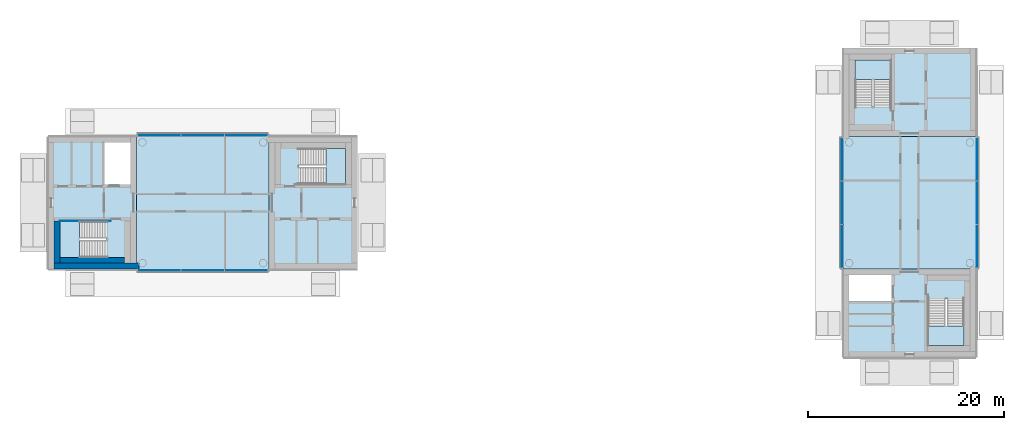
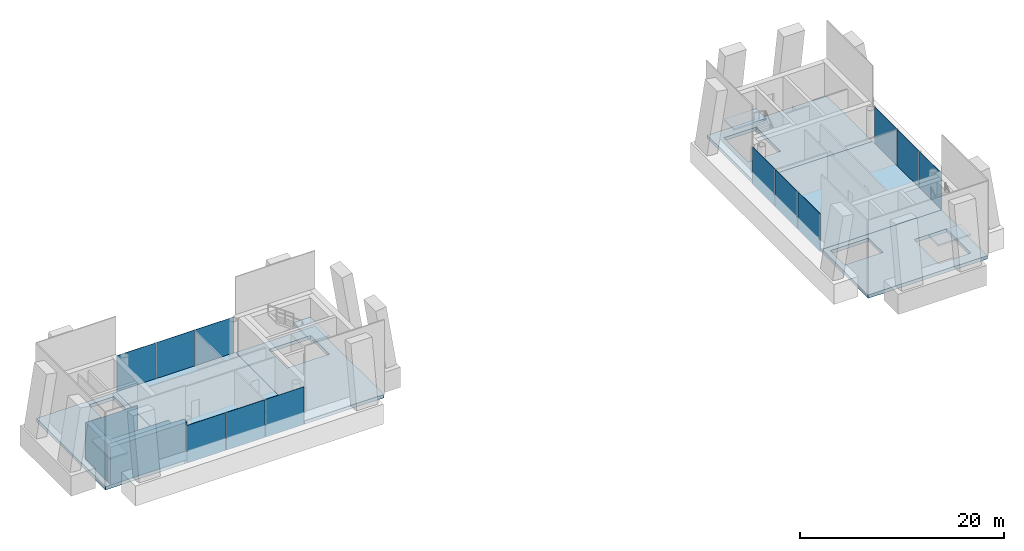
# One storey, part 4 of 12: 12 plates, 10 slabs, 4 walls, 8 elements without a shape of their own.
"""IFC4 building model written with IfcOpenShell, lengths in metres."""

from ifc_helpers import new_model, si_unit, direction, frame, frame_2d, origin, origin_2d, place, context, subcontext, project, spatial, polyline, rectangle, outline, extrude, material, layer, layer_set, type_object, element, aggregate, save


model = new_model("IFC4")

# Units and contexts
model_context = context("Model", 3, precision=1e-05, world=origin(), true_north=direction((0.0, 1.0)))
body_context = subcontext(model_context, "Body", "Model", "MODEL_VIEW")
ifc_project = project(units=[si_unit("LENGTHUNIT", "METRE"), si_unit("AREAUNIT", "SQUARE_METRE"), si_unit("VOLUMEUNIT", "CUBIC_METRE"), si_unit("PLANEANGLEUNIT", "RADIAN"), si_unit("MASSUNIT", "GRAM", prefix="KILO")], contexts=[model_context])

# Site, building, storey
site_placement = place(None, origin())
site = spatial("IfcSite", under=ifc_project, at=site_placement, CompositionType="ELEMENT")
building_placement = place(site_placement, origin())
building = spatial("IfcBuilding", under=site, at=building_placement, Name="Ipe Terrace Towers", CompositionType="ELEMENT")
storey_placement = place(building_placement, frame((0.0, 0.0, 255.89990234375)))
storey = spatial("IfcBuildingStorey", under=building, at=storey_placement, Name="L70", CompositionType="ELEMENT", Elevation=255.89990234375)

# Slabs
ifc_material_1 = material(Name="Concrete C30/37", Category="concrete")
ifc_layer_1 = layer(ifc_material_1, 0.39990234375)
ifc_layer_set_1 = layer_set([ifc_layer_1], Name="CORE FLOOR SLAB 400 C30-37")
slab_type_1 = type_object("IfcSlabType", Name="CORE FLOOR SLAB 400 C30-37", PredefinedType="FLOOR", material=ifc_layer_set_1)
slab_1_placement = place(storey_placement, frame((0.0, 0.0, -0.39990234375)))
element("IfcSlab", 1, at=slab_1_placement, inside=storey, type_object=slab_type_1, Name="Core floor T1-C1", PredefinedType="FLOOR", context=body_context, shape_type="SweptSolid", body=[
    extrude(outline(polyline([(-29.25, -6.75), (-29.25, 6.75), (-20.25, 6.75), (-20.25, -6.75), (-29.25, -6.75)]), holes=[polyline([(-21.449951171875, 1.89990234375), (-21.449951171875, 5.550048828125), (-26.199951171875, 5.550048828125), (-26.199951171875, 1.89990234375), (-21.449951171875, 1.89990234375)])]), origin(), (0.0, 0.0, 1.0), 0.39990234375),
])
slab_2_placement = place(storey_placement, frame((0.0, 0.0, -0.39990234375)))
element("IfcSlab", 2, at=slab_2_placement, inside=storey, type_object=slab_type_1, Name="Core floor T1-C2", PredefinedType="FLOOR", context=body_context, shape_type="SweptSolid", body=[
    extrude(outline(polyline([(-51.75, -6.75), (-51.75, 6.75), (-42.75, 6.75), (-42.75, -6.75), (-51.75, -6.75)]), holes=[polyline([(-45.800048828125, -1.89990234375), (-50.550048828125, -1.89990234375), (-50.550048828125, -5.550048828125), (-45.800048828125, -5.550048828125), (-45.800048828125, -1.89990234375)]), polyline([(-43.35009765625, 6.14990234375), (-46.14990234375, 6.14990234375), (-46.14990234375, 1.85009765625), (-43.35009765625, 1.85009765625), (-43.35009765625, 6.14990234375)])]), origin(), (0.0, 0.0, 1.0), 0.39990234375),
])
slab_3_placement = place(storey_placement, frame((0.0, 0.0, -0.39990234375)))
element("IfcSlab", 3, at=slab_3_placement, inside=storey, type_object=slab_type_1, Name="Core floor T2-C1", PredefinedType="FLOOR", context=body_context, shape_type="SweptSolid", body=[
    extrude(outline(polyline([(29.25, 6.75), (29.25, 15.75), (42.75, 15.75), (42.75, 6.75), (29.25, 6.75)]), holes=[polyline([(34.10009765625, 14.550048828125), (30.449951171875, 14.550048828125), (30.449951171875, 9.800048828125), (34.10009765625, 9.800048828125), (34.10009765625, 14.550048828125)])]), origin(), (0.0, 0.0, 1.0), 0.39990234375),
])
slab_4_placement = place(storey_placement, frame((0.0, 0.0, -0.39990234375)))
element("IfcSlab", 4, at=slab_4_placement, inside=storey, type_object=slab_type_1, Name="Core floor T2-C2", PredefinedType="FLOOR", context=body_context, shape_type="SweptSolid", body=[
    extrude(outline(polyline([(29.25, -15.75), (29.25, -6.75), (42.75, -6.75), (42.75, -15.75), (29.25, -15.75)]), holes=[polyline([(37.89990234375, -9.800048828125), (37.89990234375, -14.550048828125), (41.550048828125, -14.550048828125), (41.550048828125, -9.800048828125), (37.89990234375, -9.800048828125)]), polyline([(29.85009765625, -7.35009765625), (29.85009765625, -10.14990234375), (34.14990234375, -10.14990234375), (34.14990234375, -7.35009765625), (29.85009765625, -7.35009765625)])]), origin(), (0.0, 0.0, 1.0), 0.39990234375),
])

# Stair, slab
ifc_material_2 = material(Name="Concrete C30/37", Category="concrete")
stair_type = type_object("IfcStairType", Name="Protected exit stair", PredefinedType="HALF_TURN_STAIR", material=ifc_material_2)
stair_1_placement = place(storey_placement, origin())
stair_1 = element("IfcStair", 5, at=stair_1_placement, inside=storey, type_object=stair_type, Name="L70 Exit stair T1-C1", PredefinedType="HALF_TURN_STAIR")
ifc_material_3 = material(Name="Concrete C30/37", Category="concrete")
ifc_layer_2 = layer(ifc_material_3, 0.199951171875)
ifc_layer_set_2 = layer_set([ifc_layer_2], Name="Exit stair landing 200")
slab_type_2 = type_object("IfcSlabType", Name="Exit stair landing 200", PredefinedType="LANDING", material=ifc_layer_set_2)
slab_5_placement = place(storey_placement, frame((0.0, 0.0, 2.050048828125)))
slab_5 = element("IfcSlab", 6, at=slab_5_placement, type_object=slab_type_2, Name="T1-ST1 landing 1", PredefinedType="LANDING", context=body_context, shape_type="SweptSolid", body=[
    extrude(outline(polyline([(-23.43994140625, 1.89990234375), (-21.449951171875, 1.89990234375), (-21.449951171875, 5.550048828125), (-23.43994140625, 5.550048828125), (-23.43994140625, 1.89990234375)])), origin(), (0.0, 0.0, 1.0), 0.199951171875),
])
aggregate(stair_1, [slab_5])

stair_2_placement = place(storey_placement, origin())
stair_2 = element("IfcStair", 7, at=stair_2_placement, inside=storey, type_object=stair_type, Name="L70 Exit stair T1-C2", PredefinedType="HALF_TURN_STAIR")
slab_6_placement = place(storey_placement, frame((0.0, 0.0, 2.050048828125)))
slab_6 = element("IfcSlab", 8, at=slab_6_placement, type_object=slab_type_2, Name="T1-ST2 landing 1", PredefinedType="LANDING", context=body_context, shape_type="SweptSolid", body=[
    extrude(outline(polyline([(-48.56005859375, -1.89990234375), (-50.550048828125, -1.89990234375), (-50.550048828125, -5.550048828125), (-48.56005859375, -5.550048828125), (-48.56005859375, -1.89990234375)])), origin(), (0.0, 0.0, 1.0), 0.199951171875),
])
aggregate(stair_2, [slab_6])

stair_3_placement = place(storey_placement, origin())
stair_3 = element("IfcStair", 9, at=stair_3_placement, inside=storey, type_object=stair_type, Name="L70 Exit stair T2-C1", PredefinedType="HALF_TURN_STAIR")
slab_7_placement = place(storey_placement, frame((0.0, 0.0, 2.050048828125)))
slab_7 = element("IfcSlab", 10, at=slab_7_placement, type_object=slab_type_2, Name="T2-ST1 landing 1", PredefinedType="LANDING", context=body_context, shape_type="SweptSolid", body=[
    extrude(outline(polyline([(34.10009765625, 12.56005859375), (34.10009765625, 14.550048828125), (30.449951171875, 14.550048828125), (30.449951171875, 12.56005859375), (34.10009765625, 12.56005859375)])), origin(), (0.0, 0.0, 1.0), 0.199951171875),
])
aggregate(stair_3, [slab_7])

stair_4_placement = place(storey_placement, origin())
stair_4 = element("IfcStair", 11, at=stair_4_placement, inside=storey, type_object=stair_type, Name="L70 Exit stair T2-C2", PredefinedType="HALF_TURN_STAIR")
slab_8_placement = place(storey_placement, frame((0.0, 0.0, 2.050048828125)))
slab_8 = element("IfcSlab", 12, at=slab_8_placement, type_object=slab_type_2, Name="T2-ST2 landing 1", PredefinedType="LANDING", context=body_context, shape_type="SweptSolid", body=[
    extrude(outline(polyline([(37.89990234375, -12.56005859375), (37.89990234375, -14.550048828125), (41.550048828125, -14.550048828125), (41.550048828125, -12.56005859375), (37.89990234375, -12.56005859375)])), origin(), (0.0, 0.0, 1.0), 0.199951171875),
])
aggregate(stair_4, [slab_8])

# Slabs
ifc_material_4 = material(Name="Concrete C40/50", Category="concrete")
ifc_layer_3 = layer(ifc_material_4, 0.39990234375)
ifc_layer_set_3 = layer_set([ifc_layer_3], Name="FLAT PLATE SLAB 400 C40-50")
slab_type_3 = type_object("IfcSlabType", Name="FLAT PLATE SLAB 400 C40-50", PredefinedType="FLOOR", material=ifc_layer_set_3)
slab_9_placement = place(storey_placement, frame((0.0, 0.0, -0.39990234375)))
element("IfcSlab", 13, at=slab_9_placement, inside=storey, type_object=slab_type_3, Name="Slab T1-FS-Z41", PredefinedType="FLOOR", context=body_context, shape_type="SweptSolid", body=[
    extrude(outline(polyline([(-29.25, 6.75), (-29.25, -6.75), (-42.75, -6.75), (-42.75, 6.75), (-29.25, 6.75)])), origin(), (0.0, 0.0, 1.0), 0.39990234375),
])
slab_10_placement = place(storey_placement, frame((0.0, 0.0, -0.39990234375)))
element("IfcSlab", 14, at=slab_10_placement, inside=storey, type_object=slab_type_3, Name="Slab T2-FS-Z41", PredefinedType="FLOOR", context=body_context, shape_type="SweptSolid", body=[
    extrude(outline(polyline([(29.25, 6.75), (42.75, 6.75), (42.75, -6.75), (29.25, -6.75), (29.25, 6.75)])), origin(), (0.0, 0.0, 1.0), 0.39990234375),
])

# Curtain wall, plates
ifc_material_5 = material(Name="Aluminium alloy 6063-T6", Category="aluminium")
ifc_layer_4 = layer(ifc_material_5, 0.320068359375)
ifc_layer_set_4 = layer_set([ifc_layer_4], Name="LANTERN CURTAIN WALL")
curtain_wall_type = type_object("IfcCurtainWallType", Name="LANTERN CURTAIN WALL", PredefinedType="NOTDEFINED", material=ifc_layer_set_4)
curtain_wall_1_placement = place(storey_placement, origin())
curtain_wall_1 = element("IfcCurtainWall", 15, at=curtain_wall_1_placement, inside=storey, type_object=curtain_wall_type, Name="T1-CW-L70-00b curtain wall", PredefinedType="NOTDEFINED")
ifc_material_6 = material(Name="Glass, clear laminated", Category="glass")
ifc_layer_5 = layer(ifc_material_6, 0.0400390625)
ifc_layer_set_5 = layer_set([ifc_layer_5], Name="LANTERN GLASS PANEL 40")
plate_type = type_object("IfcPlateType", Name="LANTERN GLASS PANEL 40", PredefinedType="CURTAIN_PANEL", material=ifc_layer_set_5)
plate_1_placement = place(storey_placement, frame((-40.4326171875, -6.875, -0.2998046875), z_axis=(0.0, 0.0, 1.0), x_axis=(1.0, 0.0, 0.0)))
plate_1 = element("IfcPlate", 16, at=plate_1_placement, type_object=plate_type, Name="T1-CW-L70-00b panel 1", PredefinedType="CURTAIN_PANEL", context=body_context, shape_type="SweptSolid", body=[
    extrude(rectangle(XDim=4.352783203125, YDim=0.0400390625, at=origin_2d()), origin(), (0.0, 0.0, 1.0), 4.5),
])
plate_2_placement = place(storey_placement, frame((-36.0, -6.875, -0.2998046875), z_axis=(0.0, 0.0, 1.0), x_axis=(1.0, 0.0, 0.0)))
plate_2 = element("IfcPlate", 17, at=plate_2_placement, type_object=plate_type, Name="T1-CW-L70-00b panel 2", PredefinedType="CURTAIN_PANEL", context=body_context, shape_type="SweptSolid", body=[
    extrude(rectangle(XDim=4.352783203125, YDim=0.0400390625, at=origin_2d()), origin(), (0.0, 0.0, 1.0), 4.5),
])
plate_3_placement = place(storey_placement, frame((-31.5673828125, -6.875, -0.2998046875), z_axis=(0.0, 0.0, 1.0), x_axis=(1.0, 0.0, 0.0)))
plate_3 = element("IfcPlate", 18, at=plate_3_placement, type_object=plate_type, Name="T1-CW-L70-00b panel 3", PredefinedType="CURTAIN_PANEL", context=body_context, shape_type="SweptSolid", body=[
    extrude(rectangle(XDim=4.352783203125, YDim=0.0400390625, at=origin_2d()), origin(), (0.0, 0.0, 1.0), 4.5),
])
aggregate(curtain_wall_1, [plate_1, plate_2, plate_3])

curtain_wall_2_placement = place(storey_placement, origin())
curtain_wall_2 = element("IfcCurtainWall", 19, at=curtain_wall_2_placement, inside=storey, type_object=curtain_wall_type, Name="T1-CW-L70-02b curtain wall", PredefinedType="NOTDEFINED")
plate_4_placement = place(storey_placement, frame((-31.5673828125, 6.875, -0.2998046875), z_axis=(0.0, 0.0, 1.0), x_axis=(-1.0, 0.0, 0.0)))
plate_4 = element("IfcPlate", 20, at=plate_4_placement, type_object=plate_type, Name="T1-CW-L70-02b panel 1", PredefinedType="CURTAIN_PANEL", context=body_context, shape_type="SweptSolid", body=[
    extrude(rectangle(XDim=4.352783203125, YDim=0.0400390625, at=origin_2d()), origin(), (0.0, 0.0, 1.0), 4.5),
])
plate_5_placement = place(storey_placement, frame((-36.0, 6.875, -0.2998046875), z_axis=(0.0, 0.0, 1.0), x_axis=(-1.0, 0.0, 0.0)))
plate_5 = element("IfcPlate", 21, at=plate_5_placement, type_object=plate_type, Name="T1-CW-L70-02b panel 2", PredefinedType="CURTAIN_PANEL", context=body_context, shape_type="SweptSolid", body=[
    extrude(rectangle(XDim=4.352783203125, YDim=0.0400390625, at=origin_2d()), origin(), (0.0, 0.0, 1.0), 4.5),
])
plate_6_placement = place(storey_placement, frame((-40.4326171875, 6.875, -0.2998046875), z_axis=(0.0, 0.0, 1.0), x_axis=(-1.0, 0.0, 0.0)))
plate_6 = element("IfcPlate", 22, at=plate_6_placement, type_object=plate_type, Name="T1-CW-L70-02b panel 3", PredefinedType="CURTAIN_PANEL", context=body_context, shape_type="SweptSolid", body=[
    extrude(rectangle(XDim=4.352783203125, YDim=0.0400390625, at=origin_2d()), origin(), (0.0, 0.0, 1.0), 4.5),
])
aggregate(curtain_wall_2, [plate_4, plate_5, plate_6])

curtain_wall_3_placement = place(storey_placement, origin())
curtain_wall_3 = element("IfcCurtainWall", 23, at=curtain_wall_3_placement, inside=storey, type_object=curtain_wall_type, Name="T2-CW-L70-00b curtain wall", PredefinedType="NOTDEFINED")
plate_7_placement = place(storey_placement, frame((42.875, -4.4326171875, -0.2998046875), z_axis=(0.0, 0.0, 1.0), x_axis=(0.0, 1.0, 0.0)))
plate_7 = element("IfcPlate", 24, at=plate_7_placement, type_object=plate_type, Name="T2-CW-L70-00b panel 1", PredefinedType="CURTAIN_PANEL", context=body_context, shape_type="SweptSolid", body=[
    extrude(rectangle(XDim=4.352783203125, YDim=0.0400390625, at=origin_2d()), origin(), (0.0, 0.0, 1.0), 4.5),
])
plate_8_placement = place(storey_placement, frame((42.875, 0.0, -0.2998046875), z_axis=(0.0, 0.0, 1.0), x_axis=(0.0, 1.0, 0.0)))
plate_8 = element("IfcPlate", 25, at=plate_8_placement, type_object=plate_type, Name="T2-CW-L70-00b panel 2", PredefinedType="CURTAIN_PANEL", context=body_context, shape_type="SweptSolid", body=[
    extrude(rectangle(XDim=4.352783203125, YDim=0.0400390625, at=origin_2d()), origin(), (0.0, 0.0, 1.0), 4.5),
])
plate_9_placement = place(storey_placement, frame((42.875, 4.4326171875, -0.2998046875), z_axis=(0.0, 0.0, 1.0), x_axis=(0.0, 1.0, 0.0)))
plate_9 = element("IfcPlate", 26, at=plate_9_placement, type_object=plate_type, Name="T2-CW-L70-00b panel 3", PredefinedType="CURTAIN_PANEL", context=body_context, shape_type="SweptSolid", body=[
    extrude(rectangle(XDim=4.352783203125, YDim=0.0400390625, at=origin_2d()), origin(), (0.0, 0.0, 1.0), 4.5),
])
aggregate(curtain_wall_3, [plate_7, plate_8, plate_9])

curtain_wall_4_placement = place(storey_placement, origin())
curtain_wall_4 = element("IfcCurtainWall", 27, at=curtain_wall_4_placement, inside=storey, type_object=curtain_wall_type, Name="T2-CW-L70-02b curtain wall", PredefinedType="NOTDEFINED")
plate_10_placement = place(storey_placement, frame((29.125, 4.4326171875, -0.2998046875), z_axis=(0.0, 0.0, 1.0), x_axis=(0.0, -1.0, 0.0)))
plate_10 = element("IfcPlate", 28, at=plate_10_placement, type_object=plate_type, Name="T2-CW-L70-02b panel 1", PredefinedType="CURTAIN_PANEL", context=body_context, shape_type="SweptSolid", body=[
    extrude(rectangle(XDim=4.352783203125, YDim=0.0400390625, at=origin_2d()), origin(), (0.0, 0.0, 1.0), 4.5),
])
plate_11_placement = place(storey_placement, frame((29.125, 0.0, -0.2998046875), z_axis=(0.0, 0.0, 1.0), x_axis=(0.0, -1.0, 0.0)))
plate_11 = element("IfcPlate", 29, at=plate_11_placement, type_object=plate_type, Name="T2-CW-L70-02b panel 2", PredefinedType="CURTAIN_PANEL", context=body_context, shape_type="SweptSolid", body=[
    extrude(rectangle(XDim=4.352783203125, YDim=0.0400390625, at=origin_2d()), origin(), (0.0, 0.0, 1.0), 4.5),
])
plate_12_placement = place(storey_placement, frame((29.125, -4.4326171875, -0.2998046875), z_axis=(0.0, 0.0, 1.0), x_axis=(0.0, -1.0, 0.0)))
plate_12 = element("IfcPlate", 30, at=plate_12_placement, type_object=plate_type, Name="T2-CW-L70-02b panel 3", PredefinedType="CURTAIN_PANEL", context=body_context, shape_type="SweptSolid", body=[
    extrude(rectangle(XDim=4.352783203125, YDim=0.0400390625, at=origin_2d()), origin(), (0.0, 0.0, 1.0), 4.5),
])
aggregate(curtain_wall_4, [plate_10, plate_11, plate_12])

# Walls
ifc_material_7 = material(Name="Concrete C40/50", Category="concrete")
ifc_layer_6 = layer(ifc_material_7, 0.050048828125)
ifc_layer_set_6 = layer_set([ifc_layer_6], Name="RW50 CORE INFILL WALL 50 C40-50")
wall_type_1 = type_object("IfcWallType", Name="RW50 CORE INFILL WALL 50 C40-50", PredefinedType="SHEAR", material=ifc_layer_set_6)
wall_1_placement = place(storey_placement, frame((-45.35009765625, -1.875, 0.0), z_axis=(0.0, 0.0, 1.0), x_axis=(-1.0, 0.0, 0.0)))
element("IfcWall", 31, at=wall_1_placement, inside=storey, type_object=wall_type_1, Name="Core infill wall T1-C2-spine-b", PredefinedType="SHEAR", context=body_context, shape_type="SweptSolid", body=[
    extrude(rectangle(XDim=5.199951171875, YDim=0.050048828125, at=frame_2d((2.60009765625, 0.0))), origin(), (0.0, 0.0, 1.0), 4.5),
])
ifc_material_8 = material(Name="Concrete C40/50", Category="concrete")
ifc_layer_7 = layer(ifc_material_8, 0.60009765625)
ifc_layer_set_7 = layer_set([ifc_layer_7], Name="RW600 CORE INFILL WALL 600 C40-50")
wall_type_2 = type_object("IfcWallType", Name="RW600 CORE INFILL WALL 600 C40-50", PredefinedType="SHEAR", material=ifc_layer_set_7)
wall_2_placement = place(storey_placement, frame((-50.85009765625, -1.85009765625, 0.0), z_axis=(0.0, 0.0, 1.0), x_axis=(0.0, -1.0, 0.0)))
element("IfcWall", 32, at=wall_2_placement, inside=storey, type_object=wall_type_2, Name="Core infill wall T1-C2-far", PredefinedType="SHEAR", context=body_context, shape_type="SweptSolid", body=[
    extrude(rectangle(XDim=4.2998046875, YDim=0.60009765625, at=frame_2d((2.14990234375, 0.0))), origin(), (0.0, 0.0, 1.0), 4.5),
])
wall_3_placement = place(storey_placement, frame((-43.949951171875, -5.85009765625, 0.0), z_axis=(0.0, 0.0, 1.0), x_axis=(-1.0, 0.0, 0.0)))
element("IfcWall", 33, at=wall_3_placement, inside=storey, type_object=wall_type_2, Name="Core infill wall T1-C2-back", PredefinedType="SHEAR", context=body_context, shape_type="SweptSolid", body=[
    extrude(rectangle(XDim=6.60009765625, YDim=0.60009765625, at=frame_2d((3.300048828125, 0.0))), origin(), (0.0, 0.0, 1.0), 4.5),
])
ifc_material_9 = material(Name="Concrete C40/50", Category="concrete")
ifc_layer_8 = layer(ifc_material_9, 0.60009765625)
ifc_layer_set_8 = layer_set([ifc_layer_8], Name="RW600 CORE WALL 600 C40-50")
wall_type_3 = type_object("IfcWallType", Name="RW600 CORE WALL 600 C40-50", PredefinedType="SHEAR", material=ifc_layer_set_8)
wall_4_placement = place(storey_placement, frame((-51.14990234375, -6.449951171875, 0.0), z_axis=(0.0, 0.0, 1.0), x_axis=(1.0, 0.0, 0.0)))
element("IfcWall", 34, at=wall_4_placement, inside=storey, type_object=wall_type_3, Name="Core wall T1-C2-Z4-W01", PredefinedType="SHEAR", context=body_context, shape_type="SweptSolid", body=[
    extrude(rectangle(XDim=8.64794921875, YDim=0.60009765625, at=frame_2d((4.323974609375, 0.0))), origin(), (0.0, 0.0, 1.0), 4.5),
])

save(model, "model.ifc")
